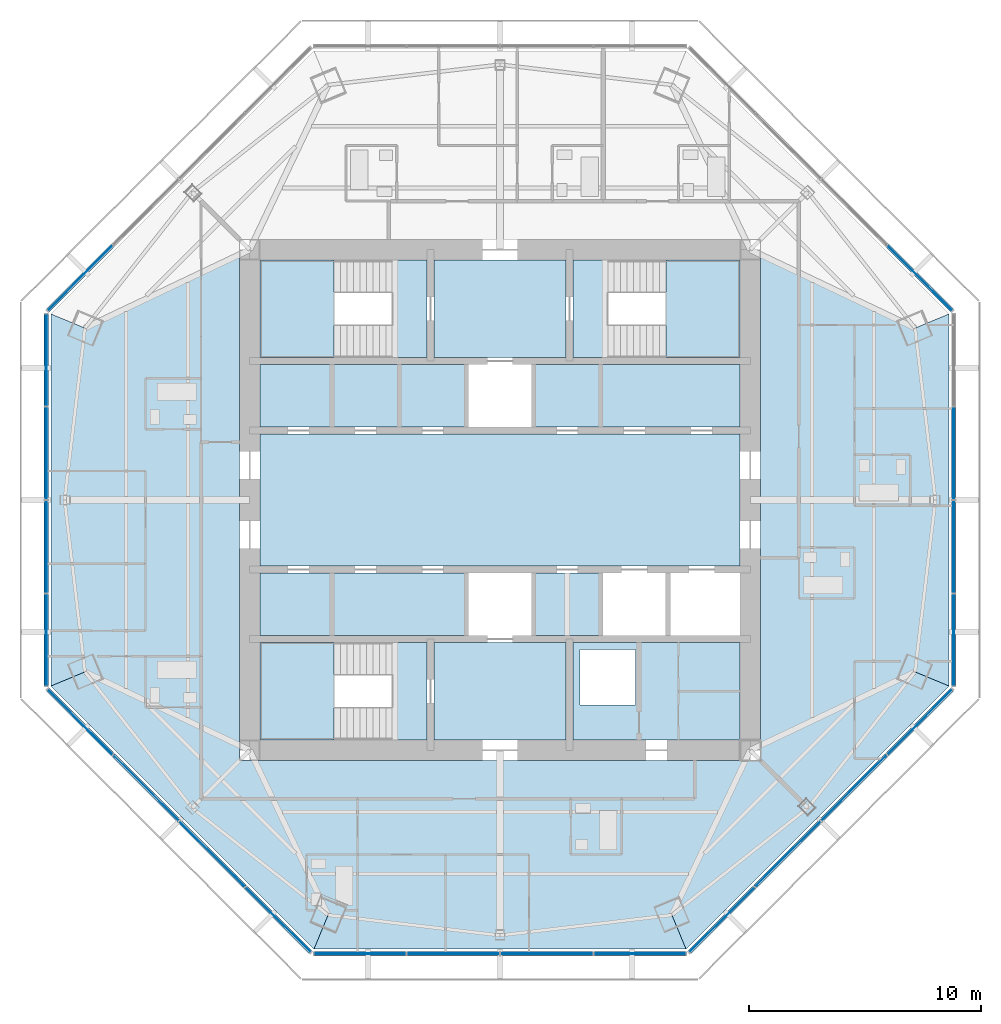
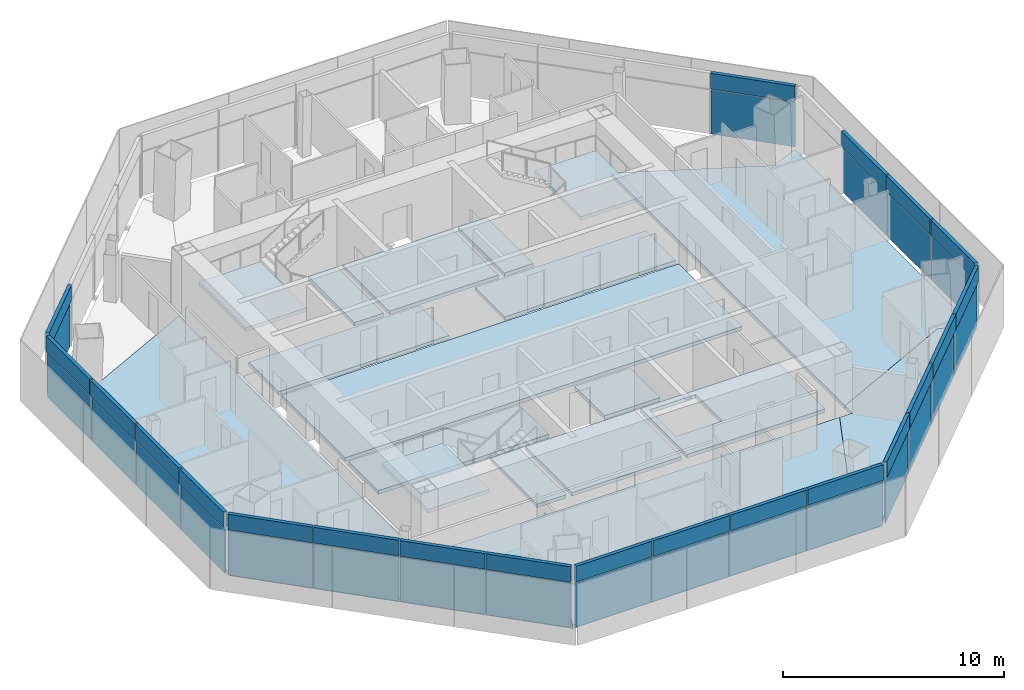
# One storey, part 7 of 15: 42 plates, 19 slabs, 10 elements without a shape of their own.
"""IFC4 building model written with IfcOpenShell, lengths in metres."""

from ifc_helpers import new_model, si_unit, direction, frame, origin, origin_2d, place, context, subcontext, project, spatial, polyline, rectangle, outline, extrude, source, transform, mapped, material, layer, layer_set, type_object, type_shapes, element, aggregate, save


model = new_model("IFC4")

# Units and contexts
model_context = context("Model", 3, precision=1e-05, world=origin(), true_north=direction((0.0, 1.0)))
body_context = subcontext(model_context, "Body", "Model", "MODEL_VIEW")
ifc_project = project(units=[si_unit("LENGTHUNIT", "METRE"), si_unit("AREAUNIT", "SQUARE_METRE"), si_unit("VOLUMEUNIT", "CUBIC_METRE"), si_unit("PLANEANGLEUNIT", "RADIAN"), si_unit("MASSUNIT", "GRAM", prefix="KILO")], contexts=[model_context])

# Site, building, storey
site_placement = place(None, origin())
site = spatial("IfcSite", under=ifc_project, at=site_placement, CompositionType="ELEMENT")
building_placement = place(site_placement, origin())
building = spatial("IfcBuilding", under=site, at=building_placement, Name="Mashrafa Tower", CompositionType="ELEMENT")
storey_placement = place(building_placement, frame((0.0, 0.0, 298.0)))
storey = spatial("IfcBuildingStorey", under=building, at=storey_placement, Name="L73", CompositionType="ELEMENT", Elevation=298.0)

# Slabs
ifc_material_1 = material(Name="Concrete C35/45", Category="concrete")
ifc_layer_1 = layer(ifc_material_1, 0.199951171875)
ifc_layer_set_1 = layer_set([ifc_layer_1], Name="Floor slab 200")
slab_type_1 = type_object("IfcSlabType", Name="Floor slab 200", PredefinedType="FLOOR", material=ifc_layer_set_1)
slab_1_placement = place(storey_placement, frame((0.0, 0.0, -0.199951171875)))
element("IfcSlab", 1, at=slab_1_placement, inside=storey, type_object=slab_type_1, Name="Floor slab L73 east bay", PredefinedType="FLOOR", context=body_context, shape_type="SweptSolid", body=[
    extrude(outline(polyline([(19.384765625, 8.029296875), (19.384765625, -8.029296875), (19.384765625, -8.029541015625), (17.912109375, -7.41943359375), (11.25, -10.586181640625), (11.25, 10.586181640625), (17.912109375, 7.41943359375), (19.384765625, 8.029541015625), (19.384765625, 8.029296875)])), origin(), (0.0, 0.0, 1.0), 0.199951171875),
])
slab_2_placement = place(storey_placement, frame((0.0, 0.0, -0.199951171875)))
element("IfcSlab", 2, at=slab_2_placement, inside=storey, type_object=slab_type_1, Name="Floor slab L73 west bay", PredefinedType="FLOOR", context=body_context, shape_type="SweptSolid", body=[
    extrude(outline(polyline([(-19.384765625, -8.029296875), (-19.384765625, 8.029296875), (-19.384765625, 8.029541015625), (-17.912109375, 7.41943359375), (-11.25, 10.586181640625), (-11.25, -10.586181640625), (-17.912109375, -7.41943359375), (-19.384765625, -8.029541015625), (-19.384765625, -8.029296875)])), origin(), (0.0, 0.0, 1.0), 0.199951171875),
])
slab_3_placement = place(storey_placement, frame((0.0, 0.0, -0.199951171875)))
element("IfcSlab", 3, at=slab_3_placement, inside=storey, type_object=slab_type_1, Name="Floor slab L73 south-west bay", PredefinedType="FLOOR", context=body_context, shape_type="SweptSolid", body=[
    extrude(outline(polyline([(-19.384765625, -8.029541015625), (-17.912109375, -7.41943359375), (-11.25, -10.586181640625), (-11.25, -11.25), (-10.586181640625, -11.25), (-7.41943359375, -17.912109375), (-8.029541015625, -19.384765625), (-19.384765625, -8.029541015625)])), origin(), (0.0, 0.0, 1.0), 0.199951171875),
])
slab_4_placement = place(storey_placement, frame((0.0, 0.0, -0.199951171875)))
element("IfcSlab", 4, at=slab_4_placement, inside=storey, type_object=slab_type_1, Name="Floor slab L73 south bay", PredefinedType="FLOOR", context=body_context, shape_type="SweptSolid", body=[
    extrude(outline(polyline([(-8.029296875, -19.384765625), (-8.029541015625, -19.384765625), (-7.41943359375, -17.912109375), (-10.586181640625, -11.25), (10.586181640625, -11.25), (7.41943359375, -17.912109375), (8.029541015625, -19.384765625), (8.029296875, -19.384765625), (-8.029296875, -19.384765625)])), origin(), (0.0, 0.0, 1.0), 0.199951171875),
])
slab_5_placement = place(storey_placement, frame((0.0, 0.0, -0.199951171875)))
element("IfcSlab", 5, at=slab_5_placement, inside=storey, type_object=slab_type_1, Name="Floor slab L73 south-east bay", PredefinedType="FLOOR", context=body_context, shape_type="SweptSolid", body=[
    extrude(outline(polyline([(8.029541015625, -19.384765625), (7.41943359375, -17.912109375), (10.586181640625, -11.25), (11.25, -11.25), (11.25, -10.586181640625), (17.912109375, -7.41943359375), (19.384765625, -8.029541015625), (8.029541015625, -19.384765625)])), origin(), (0.0, 0.0, 1.0), 0.199951171875),
])
slab_6_placement = place(storey_placement, frame((0.0, 0.0, -0.199951171875)))
element("IfcSlab", 6, at=slab_6_placement, inside=storey, type_object=slab_type_1, Name="Core floor lift hall L73", PredefinedType="FLOOR", context=body_context, shape_type="SweptSolid", body=[
    extrude(outline(polyline([(-10.35009765625, 2.85009765625), (10.35009765625, 2.85009765625), (10.35009765625, -2.85009765625), (-10.35009765625, -2.85009765625), (-10.35009765625, 2.85009765625)])), origin(), (0.0, 0.0, 1.0), 0.199951171875),
])
slab_7_placement = place(storey_placement, frame((0.0, 0.0, -0.199951171875)))
element("IfcSlab", 7, at=slab_7_placement, inside=storey, type_object=slab_type_1, Name="Core floor riser and electrical band L73", PredefinedType="FLOOR", context=body_context, shape_type="SweptSolid", body=[
    extrude(outline(polyline([(10.35009765625, -6.14990234375), (10.35009765625, -10.35009765625), (3.14990234375, -10.35009765625), (3.14990234375, -6.14990234375), (10.35009765625, -6.14990234375)]), holes=[polyline([(3.449951171875, -8.85009765625), (5.85009765625, -8.85009765625), (5.85009765625, -6.449951171875), (3.449951171875, -6.449951171875), (3.449951171875, -8.85009765625)])]), origin(), (0.0, 0.0, 1.0), 0.199951171875),
])
slab_8_placement = place(storey_placement, frame((0.0, 0.0, -0.199951171875)))
element("IfcSlab", 8, at=slab_8_placement, inside=storey, type_object=slab_type_1, Name="Core floor lift cell L73", PredefinedType="FLOOR", context=body_context, shape_type="SweptSolid", body=[
    extrude(outline(polyline([(10.35009765625, 5.85009765625), (10.35009765625, 3.14990234375), (1.449951171875, 3.14990234375), (1.449951171875, 5.85009765625), (10.35009765625, 5.85009765625)])), origin(), (0.0, 0.0, 1.0), 0.199951171875),
])
slab_9_placement = place(storey_placement, frame((0.0, 0.0, -0.199951171875)))
element("IfcSlab", 9, at=slab_9_placement, inside=storey, type_object=slab_type_1, Name="Core floor lift cell L73", PredefinedType="FLOOR", context=body_context, shape_type="SweptSolid", body=[
    extrude(outline(polyline([(-1.449951171875, 3.14990234375), (-10.35009765625, 3.14990234375), (-10.35009765625, 5.85009765625), (-1.449951171875, 5.85009765625), (-1.449951171875, 3.14990234375)])), origin(), (0.0, 0.0, 1.0), 0.199951171875),
])
slab_10_placement = place(storey_placement, frame((0.0, 0.0, -0.199951171875)))
element("IfcSlab", 10, at=slab_10_placement, inside=storey, type_object=slab_type_1, Name="Core floor lift cell L73", PredefinedType="FLOOR", context=body_context, shape_type="SweptSolid", body=[
    extrude(outline(polyline([(-1.449951171875, -3.14990234375), (-1.449951171875, -5.85009765625), (-10.35009765625, -5.85009765625), (-10.35009765625, -3.14990234375), (-1.449951171875, -3.14990234375)])), origin(), (0.0, 0.0, 1.0), 0.199951171875),
])
slab_11_placement = place(storey_placement, frame((0.0, 0.0, -0.199951171875)))
element("IfcSlab", 11, at=slab_11_placement, inside=storey, type_object=slab_type_1, Name="Core floor fire-fighting lobby south L73", PredefinedType="FLOOR", context=body_context, shape_type="SweptSolid", body=[
    extrude(outline(polyline([(2.85009765625, -6.14990234375), (2.85009765625, -10.35009765625), (-2.85009765625, -10.35009765625), (-2.85009765625, -6.14990234375), (2.85009765625, -6.14990234375)])), origin(), (0.0, 0.0, 1.0), 0.199951171875),
])
slab_12_placement = place(storey_placement, frame((0.0, 0.0, -0.199951171875)))
element("IfcSlab", 12, at=slab_12_placement, inside=storey, type_object=slab_type_1, Name="Core floor fire-fighting lobby north L73", PredefinedType="FLOOR", context=body_context, shape_type="SweptSolid", body=[
    extrude(outline(polyline([(-2.85009765625, 10.35009765625), (2.85009765625, 10.35009765625), (2.85009765625, 6.14990234375), (-2.85009765625, 6.14990234375), (-2.85009765625, 10.35009765625)])), origin(), (0.0, 0.0, 1.0), 0.199951171875),
])
slab_13_placement = place(storey_placement, frame((0.0, 0.0, -0.199951171875)))
element("IfcSlab", 13, at=slab_13_placement, inside=storey, type_object=slab_type_1, Name="Core floor lift cell L73", PredefinedType="FLOOR", context=body_context, shape_type="SweptSolid", body=[
    extrude(outline(polyline([(4.35009765625, -3.14990234375), (4.35009765625, -5.85009765625), (1.449951171875, -5.85009765625), (1.449951171875, -3.14990234375), (4.35009765625, -3.14990234375)])), origin(), (0.0, 0.0, 1.0), 0.199951171875),
])

# Stair, slabs
ifc_material_2 = material(Name="Exit stair 1400")
stair_type = type_object("IfcStairType", Name="Exit stair 1400", PredefinedType="HALF_TURN_STAIR", material=ifc_material_2)
stair_1_placement = place(storey_placement, origin())
stair_1 = element("IfcStair", 14, at=stair_1_placement, inside=storey, type_object=stair_type, Name="Stair S1 L73", PredefinedType="HALF_TURN_STAIR")
ifc_material_3 = material(Name="Concrete C32/40", Category="concrete")
ifc_layer_2 = layer(ifc_material_3, 0.199951171875)
ifc_layer_set_2 = layer_set([ifc_layer_2], Name="Stair landing 200")
slab_type_2 = type_object("IfcSlabType", Name="Stair landing 200", PredefinedType="LANDING", material=ifc_layer_set_2)
slab_14_placement = place(storey_placement, frame((0.0, 0.0, -0.199951171875)))
slab_14 = element("IfcSlab", 15, at=slab_14_placement, type_object=slab_type_2, Name="S1 landing 1", PredefinedType="LANDING", context=body_context, shape_type="SweptSolid", body=[
    extrude(outline(polyline([(-4.659912109375, 6.14990234375), (-3.14990234375, 6.14990234375), (-3.14990234375, 10.35009765625), (-4.659912109375, 10.35009765625), (-4.659912109375, 6.14990234375)])), origin(), (0.0, 0.0, 1.0), 0.199951171875),
])
slab_15_placement = place(storey_placement, frame((0.0, 0.0, 1.5)))
slab_15 = element("IfcSlab", 16, at=slab_15_placement, type_object=slab_type_2, Name="S1 landing 2", PredefinedType="LANDING", context=body_context, shape_type="SweptSolid", body=[
    extrude(outline(polyline([(-10.35009765625, 6.14990234375), (-7.159912109375, 6.14990234375), (-7.159912109375, 10.35009765625), (-10.35009765625, 10.35009765625), (-10.35009765625, 6.14990234375)])), origin(), (0.0, 0.0, 1.0), 0.199951171875),
])
aggregate(stair_1, [slab_14, slab_15])

stair_2_placement = place(storey_placement, origin())
stair_2 = element("IfcStair", 17, at=stair_2_placement, inside=storey, type_object=stair_type, Name="Stair S2 L73", PredefinedType="HALF_TURN_STAIR")
slab_16_placement = place(storey_placement, frame((0.0, 0.0, -0.199951171875)))
slab_16 = element("IfcSlab", 18, at=slab_16_placement, type_object=slab_type_2, Name="S2 landing 1", PredefinedType="LANDING", context=body_context, shape_type="SweptSolid", body=[
    extrude(outline(polyline([(3.14990234375, 6.14990234375), (4.659912109375, 6.14990234375), (4.659912109375, 10.35009765625), (3.14990234375, 10.35009765625), (3.14990234375, 6.14990234375)])), origin(), (0.0, 0.0, 1.0), 0.199951171875),
])
slab_17_placement = place(storey_placement, frame((0.0, 0.0, 1.5)))
slab_17 = element("IfcSlab", 19, at=slab_17_placement, type_object=slab_type_2, Name="S2 landing 2", PredefinedType="LANDING", context=body_context, shape_type="SweptSolid", body=[
    extrude(outline(polyline([(7.159912109375, 6.14990234375), (10.35009765625, 6.14990234375), (10.35009765625, 10.35009765625), (7.159912109375, 10.35009765625), (7.159912109375, 6.14990234375)])), origin(), (0.0, 0.0, 1.0), 0.199951171875),
])
aggregate(stair_2, [slab_16, slab_17])

stair_3_placement = place(storey_placement, origin())
stair_3 = element("IfcStair", 20, at=stair_3_placement, inside=storey, type_object=stair_type, Name="Stair S3 L73", PredefinedType="HALF_TURN_STAIR")
slab_18_placement = place(storey_placement, frame((0.0, 0.0, -0.199951171875)))
slab_18 = element("IfcSlab", 21, at=slab_18_placement, type_object=slab_type_2, Name="S3 landing 1", PredefinedType="LANDING", context=body_context, shape_type="SweptSolid", body=[
    extrude(outline(polyline([(-4.659912109375, -10.35009765625), (-3.14990234375, -10.35009765625), (-3.14990234375, -6.14990234375), (-4.659912109375, -6.14990234375), (-4.659912109375, -10.35009765625)])), origin(), (0.0, 0.0, 1.0), 0.199951171875),
])
slab_19_placement = place(storey_placement, frame((0.0, 0.0, 1.5)))
slab_19 = element("IfcSlab", 22, at=slab_19_placement, type_object=slab_type_2, Name="S3 landing 2", PredefinedType="LANDING", context=body_context, shape_type="SweptSolid", body=[
    extrude(outline(polyline([(-10.35009765625, -10.35009765625), (-7.159912109375, -10.35009765625), (-7.159912109375, -6.14990234375), (-10.35009765625, -6.14990234375), (-10.35009765625, -10.35009765625)])), origin(), (0.0, 0.0, 1.0), 0.199951171875),
])
aggregate(stair_3, [slab_18, slab_19])

# Curtain wall, plate
ifc_material_4 = material(Name="Unitised aluminium curtain wall", Category="aluminium")
curtain_wall_type = type_object("IfcCurtainWallType", Name="Apartment curtain wall, zone 4 CW-D 160 deep", PredefinedType="NOTDEFINED", material=ifc_material_4)
curtain_wall_1_placement = place(storey_placement, origin())
curtain_wall_1 = element("IfcCurtainWall", 23, at=curtain_wall_1_placement, inside=storey, type_object=curtain_wall_type, Name="Apartment curtain wall, zone 4 L73 east", PredefinedType="NOTDEFINED")
ifc_material_5 = material(Name="Insulated double glazing, acoustic", Category="glass")
ifc_layer_3 = layer(ifc_material_5, 0.028076171875)
ifc_layer_set_3 = layer_set([ifc_layer_3], Name="Vision panel CW-D 28")
plate_type_1 = type_object("IfcPlateType", Name="Vision panel CW-D 28", PredefinedType="CURTAIN_PANEL", material=ifc_layer_set_3)
shared_shape_1 = source(origin(), body_context, "Body", "SweptSolid", [
    extrude(rectangle(XDim=3.944580078125, YDim=0.028076171875, at=origin_2d()), origin(), (0.0, 0.0, 1.0), 2.46240234375),
])
plate_1_placement = place(storey_placement, frame((19.584716796875, -6.036865234375, 0.0), z_axis=(0.0, 0.0, 1.0), x_axis=(0.0, 1.0, 0.0)))
plate_1 = element("IfcPlate", 24, at=plate_1_placement, type_object=plate_type_1, Name="CW-D vision panel 1", PredefinedType="CURTAIN_PANEL", context=body_context, shape_type="MappedRepresentation", body=[
    mapped(shared_shape_1, transform((0.0, 0.0, 0.0))),
])

curtain_wall_2_placement = place(storey_placement, origin())
curtain_wall_2 = element("IfcCurtainWall", 25, at=curtain_wall_2_placement, inside=storey, type_object=curtain_wall_type, Name="Apartment curtain wall, zone 4 L73 north-east", PredefinedType="NOTDEFINED")
plate_2_placement = place(storey_placement, frame((18.1171875, 9.579833984375, 0.0), z_axis=(0.0, 0.0, 1.0), x_axis=(-0.707106781187, 0.707106781187, 0.0)))
plate_2 = element("IfcPlate", 26, at=plate_2_placement, type_object=plate_type_1, Name="CW-D vision panel 1", PredefinedType="CURTAIN_PANEL", context=body_context, shape_type="MappedRepresentation", body=[
    mapped(shared_shape_1, transform((0.0, 0.0, 0.0))),
])

curtain_wall_3_placement = place(storey_placement, origin())
curtain_wall_3 = element("IfcCurtainWall", 27, at=curtain_wall_3_placement, inside=storey, type_object=curtain_wall_type, Name="Apartment curtain wall, zone 4 L73 north-west", PredefinedType="NOTDEFINED")
plate_3_placement = place(storey_placement, frame((-18.1171875, 9.579833984375, 0.0), z_axis=(0.0, 0.0, 1.0), x_axis=(-0.707106781187, -0.707106781187, 0.0)))
plate_3 = element("IfcPlate", 28, at=plate_3_placement, type_object=plate_type_1, Name="CW-D vision panel 4", PredefinedType="CURTAIN_PANEL", context=body_context, shape_type="MappedRepresentation", body=[
    mapped(shared_shape_1, transform((0.0, 0.0, 0.0))),
])

# Curtain wall, plates
curtain_wall_4_placement = place(storey_placement, origin())
curtain_wall_4 = element("IfcCurtainWall", 29, at=curtain_wall_4_placement, inside=storey, type_object=curtain_wall_type, Name="Apartment curtain wall, zone 4 L73 west", PredefinedType="NOTDEFINED")
plate_4_placement = place(storey_placement, frame((-19.584716796875, 6.036865234375, 0.0), z_axis=(0.0, 0.0, 1.0), x_axis=(0.0, -1.0, 0.0)))
plate_4 = element("IfcPlate", 30, at=plate_4_placement, type_object=plate_type_1, Name="CW-D vision panel 1", PredefinedType="CURTAIN_PANEL", context=body_context, shape_type="MappedRepresentation", body=[
    mapped(shared_shape_1, transform((0.0, 0.0, 0.0))),
])
plate_5_placement = place(storey_placement, frame((-19.584716796875, -6.036865234375, 0.0), z_axis=(0.0, 0.0, 1.0), x_axis=(0.0, -1.0, 0.0)))
plate_5 = element("IfcPlate", 31, at=plate_5_placement, type_object=plate_type_1, Name="CW-D vision panel 4", PredefinedType="CURTAIN_PANEL", context=body_context, shape_type="MappedRepresentation", body=[
    mapped(shared_shape_1, transform((0.0, 0.0, 0.0))),
])

curtain_wall_5_placement = place(storey_placement, origin())
curtain_wall_5 = element("IfcCurtainWall", 32, at=curtain_wall_5_placement, inside=storey, type_object=curtain_wall_type, Name="Apartment curtain wall, zone 4 L73 south-west", PredefinedType="NOTDEFINED")
plate_6_placement = place(storey_placement, frame((-18.1171875, -9.579833984375, 0.0), z_axis=(0.0, 0.0, 1.0), x_axis=(0.707106781187, -0.707106781187, 0.0)))
plate_6 = element("IfcPlate", 33, at=plate_6_placement, type_object=plate_type_1, Name="CW-D vision panel 1", PredefinedType="CURTAIN_PANEL", context=body_context, shape_type="MappedRepresentation", body=[
    mapped(shared_shape_1, transform((0.0, 0.0, 0.0))),
])
plate_7_placement = place(storey_placement, frame((-9.579833984375, -18.1171875, 0.0), z_axis=(0.0, 0.0, 1.0), x_axis=(0.707106781187, -0.707106781187, 0.0)))
plate_7 = element("IfcPlate", 34, at=plate_7_placement, type_object=plate_type_1, Name="CW-D vision panel 4", PredefinedType="CURTAIN_PANEL", context=body_context, shape_type="MappedRepresentation", body=[
    mapped(shared_shape_1, transform((0.0, 0.0, 0.0))),
])

curtain_wall_6_placement = place(storey_placement, origin())
curtain_wall_6 = element("IfcCurtainWall", 35, at=curtain_wall_6_placement, inside=storey, type_object=curtain_wall_type, Name="Apartment curtain wall, zone 4 L73 south", PredefinedType="NOTDEFINED")
plate_8_placement = place(storey_placement, frame((-6.036865234375, -19.584716796875, 0.0), z_axis=(0.0, 0.0, 1.0), x_axis=(1.0, 0.0, 0.0)))
plate_8 = element("IfcPlate", 36, at=plate_8_placement, type_object=plate_type_1, Name="CW-D vision panel 1", PredefinedType="CURTAIN_PANEL", context=body_context, shape_type="MappedRepresentation", body=[
    mapped(shared_shape_1, transform((0.0, 0.0, 0.0))),
])
plate_9_placement = place(storey_placement, frame((6.036865234375, -19.584716796875, 0.0), z_axis=(0.0, 0.0, 1.0), x_axis=(1.0, 0.0, 0.0)))
plate_9 = element("IfcPlate", 37, at=plate_9_placement, type_object=plate_type_1, Name="CW-D vision panel 4", PredefinedType="CURTAIN_PANEL", context=body_context, shape_type="MappedRepresentation", body=[
    mapped(shared_shape_1, transform((0.0, 0.0, 0.0))),
])

curtain_wall_7_placement = place(storey_placement, origin())
curtain_wall_7 = element("IfcCurtainWall", 38, at=curtain_wall_7_placement, inside=storey, type_object=curtain_wall_type, Name="Apartment curtain wall, zone 4 L73 south-east", PredefinedType="NOTDEFINED")
plate_10_placement = place(storey_placement, frame((9.579833984375, -18.1171875, 0.0), z_axis=(0.0, 0.0, 1.0), x_axis=(0.707106781187, 0.707106781187, 0.0)))
plate_10 = element("IfcPlate", 39, at=plate_10_placement, type_object=plate_type_1, Name="CW-D vision panel 1", PredefinedType="CURTAIN_PANEL", context=body_context, shape_type="MappedRepresentation", body=[
    mapped(shared_shape_1, transform((0.0, 0.0, 0.0))),
])
plate_11_placement = place(storey_placement, frame((18.1171875, -9.579833984375, 0.0), z_axis=(0.0, 0.0, 1.0), x_axis=(0.707106781187, 0.707106781187, 0.0)))
plate_11 = element("IfcPlate", 40, at=plate_11_placement, type_object=plate_type_1, Name="CW-D vision panel 4", PredefinedType="CURTAIN_PANEL", context=body_context, shape_type="MappedRepresentation", body=[
    mapped(shared_shape_1, transform((0.0, 0.0, 0.0))),
])

# Plate
ifc_material_6 = material(Name="Insulated bronze aluminium spandrel panel", Category="aluminium")
ifc_layer_4 = layer(ifc_material_6, 0.179931640625)
ifc_layer_set_4 = layer_set([ifc_layer_4], Name="Spandrel panel CW-D 180")
plate_type_2 = type_object("IfcPlateType", Name="Spandrel panel CW-D 180", PredefinedType="CURTAIN_PANEL", material=ifc_layer_set_4)
shared_shape_2 = source(origin(), body_context, "Body", "SweptSolid", [
    extrude(rectangle(XDim=3.944580078125, YDim=0.179931640625, at=origin_2d()), origin(), (0.0, 0.0, 1.0), 0.862548828125),
])
plate_12_placement = place(storey_placement, frame((19.584716796875, -6.036865234375, 2.53759765625), z_axis=(0.0, 0.0, 1.0), x_axis=(0.0, 1.0, 0.0)))
plate_12 = element("IfcPlate", 41, at=plate_12_placement, type_object=plate_type_2, Name="CW-D spandrel panel 1", PredefinedType="CURTAIN_PANEL", context=body_context, shape_type="MappedRepresentation", body=[
    mapped(shared_shape_2, transform((0.0, 0.0, 0.0))),
])

plate_13_placement = place(storey_placement, frame((18.1171875, 9.579833984375, 2.53759765625), z_axis=(0.0, 0.0, 1.0), x_axis=(-0.707106781187, 0.707106781187, 0.0)))
plate_13 = element("IfcPlate", 42, at=plate_13_placement, type_object=plate_type_2, Name="CW-D spandrel panel 1", PredefinedType="CURTAIN_PANEL", context=body_context, shape_type="MappedRepresentation", body=[
    mapped(shared_shape_2, transform((0.0, 0.0, 0.0))),
])

aggregate(curtain_wall_2, [plate_2, plate_13])

plate_14_placement = place(storey_placement, frame((-18.1171875, 9.579833984375, 2.53759765625), z_axis=(0.0, 0.0, 1.0), x_axis=(-0.707106781187, -0.707106781187, 0.0)))
plate_14 = element("IfcPlate", 43, at=plate_14_placement, type_object=plate_type_2, Name="CW-D spandrel panel 4", PredefinedType="CURTAIN_PANEL", context=body_context, shape_type="MappedRepresentation", body=[
    mapped(shared_shape_2, transform((0.0, 0.0, 0.0))),
])

aggregate(curtain_wall_3, [plate_3, plate_14])

plate_15_placement = place(storey_placement, frame((-19.584716796875, 6.036865234375, 2.53759765625), z_axis=(0.0, 0.0, 1.0), x_axis=(0.0, -1.0, 0.0)))
plate_15 = element("IfcPlate", 44, at=plate_15_placement, type_object=plate_type_2, Name="CW-D spandrel panel 1", PredefinedType="CURTAIN_PANEL", context=body_context, shape_type="MappedRepresentation", body=[
    mapped(shared_shape_2, transform((0.0, 0.0, 0.0))),
])

plate_16_placement = place(storey_placement, frame((-19.584716796875, -6.036865234375, 2.53759765625), z_axis=(0.0, 0.0, 1.0), x_axis=(0.0, -1.0, 0.0)))
plate_16 = element("IfcPlate", 45, at=plate_16_placement, type_object=plate_type_2, Name="CW-D spandrel panel 4", PredefinedType="CURTAIN_PANEL", context=body_context, shape_type="MappedRepresentation", body=[
    mapped(shared_shape_2, transform((0.0, 0.0, 0.0))),
])

plate_17_placement = place(storey_placement, frame((-18.1171875, -9.579833984375, 2.53759765625), z_axis=(0.0, 0.0, 1.0), x_axis=(0.707106781187, -0.707106781187, 0.0)))
plate_17 = element("IfcPlate", 46, at=plate_17_placement, type_object=plate_type_2, Name="CW-D spandrel panel 1", PredefinedType="CURTAIN_PANEL", context=body_context, shape_type="MappedRepresentation", body=[
    mapped(shared_shape_2, transform((0.0, 0.0, 0.0))),
])

plate_18_placement = place(storey_placement, frame((-9.579833984375, -18.1171875, 2.53759765625), z_axis=(0.0, 0.0, 1.0), x_axis=(0.707106781187, -0.707106781187, 0.0)))
plate_18 = element("IfcPlate", 47, at=plate_18_placement, type_object=plate_type_2, Name="CW-D spandrel panel 4", PredefinedType="CURTAIN_PANEL", context=body_context, shape_type="MappedRepresentation", body=[
    mapped(shared_shape_2, transform((0.0, 0.0, 0.0))),
])

plate_19_placement = place(storey_placement, frame((-6.036865234375, -19.584716796875, 2.53759765625), z_axis=(0.0, 0.0, 1.0), x_axis=(1.0, 0.0, 0.0)))
plate_19 = element("IfcPlate", 48, at=plate_19_placement, type_object=plate_type_2, Name="CW-D spandrel panel 1", PredefinedType="CURTAIN_PANEL", context=body_context, shape_type="MappedRepresentation", body=[
    mapped(shared_shape_2, transform((0.0, 0.0, 0.0))),
])

plate_20_placement = place(storey_placement, frame((6.036865234375, -19.584716796875, 2.53759765625), z_axis=(0.0, 0.0, 1.0), x_axis=(1.0, 0.0, 0.0)))
plate_20 = element("IfcPlate", 49, at=plate_20_placement, type_object=plate_type_2, Name="CW-D spandrel panel 4", PredefinedType="CURTAIN_PANEL", context=body_context, shape_type="MappedRepresentation", body=[
    mapped(shared_shape_2, transform((0.0, 0.0, 0.0))),
])

plate_21_placement = place(storey_placement, frame((9.579833984375, -18.1171875, 2.53759765625), z_axis=(0.0, 0.0, 1.0), x_axis=(0.707106781187, 0.707106781187, 0.0)))
plate_21 = element("IfcPlate", 50, at=plate_21_placement, type_object=plate_type_2, Name="CW-D spandrel panel 1", PredefinedType="CURTAIN_PANEL", context=body_context, shape_type="MappedRepresentation", body=[
    mapped(shared_shape_2, transform((0.0, 0.0, 0.0))),
])

plate_22_placement = place(storey_placement, frame((18.1171875, -9.579833984375, 2.53759765625), z_axis=(0.0, 0.0, 1.0), x_axis=(0.707106781187, 0.707106781187, 0.0)))
plate_22 = element("IfcPlate", 51, at=plate_22_placement, type_object=plate_type_2, Name="CW-D spandrel panel 4", PredefinedType="CURTAIN_PANEL", context=body_context, shape_type="MappedRepresentation", body=[
    mapped(shared_shape_2, transform((0.0, 0.0, 0.0))),
])

shared_shape_3 = source(origin(), body_context, "Body", "SweptSolid", [
    extrude(rectangle(XDim=3.974609375, YDim=0.028076171875, at=origin_2d()), origin(), (0.0, 0.0, 1.0), 2.46240234375),
])
type_shapes(plate_type_1, [shared_shape_1, shared_shape_3])
plate_23_placement = place(storey_placement, frame((19.584716796875, -2.017333984375, 0.0), z_axis=(0.0, 0.0, 1.0), x_axis=(0.0, 1.0, 0.0)))
plate_23 = element("IfcPlate", 52, at=plate_23_placement, type_object=plate_type_1, Name="CW-D vision panel 2", PredefinedType="CURTAIN_PANEL", context=body_context, shape_type="MappedRepresentation", body=[
    mapped(shared_shape_3, transform((0.0, 0.0, 0.0))),
])

plate_24_placement = place(storey_placement, frame((19.584716796875, 2.017333984375, 0.0), z_axis=(0.0, 0.0, 1.0), x_axis=(0.0, 1.0, 0.0)))
plate_24 = element("IfcPlate", 53, at=plate_24_placement, type_object=plate_type_1, Name="CW-D vision panel 3", PredefinedType="CURTAIN_PANEL", context=body_context, shape_type="MappedRepresentation", body=[
    mapped(shared_shape_3, transform((0.0, 0.0, 0.0))),
])

plate_25_placement = place(storey_placement, frame((-19.584716796875, 2.017333984375, 0.0), z_axis=(0.0, 0.0, 1.0), x_axis=(0.0, -1.0, 0.0)))
plate_25 = element("IfcPlate", 54, at=plate_25_placement, type_object=plate_type_1, Name="CW-D vision panel 2", PredefinedType="CURTAIN_PANEL", context=body_context, shape_type="MappedRepresentation", body=[
    mapped(shared_shape_3, transform((0.0, 0.0, 0.0))),
])

plate_26_placement = place(storey_placement, frame((-19.584716796875, -2.017333984375, 0.0), z_axis=(0.0, 0.0, 1.0), x_axis=(0.0, -1.0, 0.0)))
plate_26 = element("IfcPlate", 55, at=plate_26_placement, type_object=plate_type_1, Name="CW-D vision panel 3", PredefinedType="CURTAIN_PANEL", context=body_context, shape_type="MappedRepresentation", body=[
    mapped(shared_shape_3, transform((0.0, 0.0, 0.0))),
])

plate_27_placement = place(storey_placement, frame((-15.27490234375, -12.422119140625, 0.0), z_axis=(0.0, 0.0, 1.0), x_axis=(0.707106781187, -0.707106781187, 0.0)))
plate_27 = element("IfcPlate", 56, at=plate_27_placement, type_object=plate_type_1, Name="CW-D vision panel 2", PredefinedType="CURTAIN_PANEL", context=body_context, shape_type="MappedRepresentation", body=[
    mapped(shared_shape_3, transform((0.0, 0.0, 0.0))),
])

plate_28_placement = place(storey_placement, frame((-12.422119140625, -15.27490234375, 0.0), z_axis=(0.0, 0.0, 1.0), x_axis=(0.707106781187, -0.707106781187, 0.0)))
plate_28 = element("IfcPlate", 57, at=plate_28_placement, type_object=plate_type_1, Name="CW-D vision panel 3", PredefinedType="CURTAIN_PANEL", context=body_context, shape_type="MappedRepresentation", body=[
    mapped(shared_shape_3, transform((0.0, 0.0, 0.0))),
])

plate_29_placement = place(storey_placement, frame((-2.017333984375, -19.584716796875, 0.0), z_axis=(0.0, 0.0, 1.0), x_axis=(1.0, 0.0, 0.0)))
plate_29 = element("IfcPlate", 58, at=plate_29_placement, type_object=plate_type_1, Name="CW-D vision panel 2", PredefinedType="CURTAIN_PANEL", context=body_context, shape_type="MappedRepresentation", body=[
    mapped(shared_shape_3, transform((0.0, 0.0, 0.0))),
])

plate_30_placement = place(storey_placement, frame((2.017333984375, -19.584716796875, 0.0), z_axis=(0.0, 0.0, 1.0), x_axis=(1.0, 0.0, 0.0)))
plate_30 = element("IfcPlate", 59, at=plate_30_placement, type_object=plate_type_1, Name="CW-D vision panel 3", PredefinedType="CURTAIN_PANEL", context=body_context, shape_type="MappedRepresentation", body=[
    mapped(shared_shape_3, transform((0.0, 0.0, 0.0))),
])

plate_31_placement = place(storey_placement, frame((12.422119140625, -15.27490234375, 0.0), z_axis=(0.0, 0.0, 1.0), x_axis=(0.707106781187, 0.707106781187, 0.0)))
plate_31 = element("IfcPlate", 60, at=plate_31_placement, type_object=plate_type_1, Name="CW-D vision panel 2", PredefinedType="CURTAIN_PANEL", context=body_context, shape_type="MappedRepresentation", body=[
    mapped(shared_shape_3, transform((0.0, 0.0, 0.0))),
])

plate_32_placement = place(storey_placement, frame((15.27490234375, -12.422119140625, 0.0), z_axis=(0.0, 0.0, 1.0), x_axis=(0.707106781187, 0.707106781187, 0.0)))
plate_32 = element("IfcPlate", 61, at=plate_32_placement, type_object=plate_type_1, Name="CW-D vision panel 3", PredefinedType="CURTAIN_PANEL", context=body_context, shape_type="MappedRepresentation", body=[
    mapped(shared_shape_3, transform((0.0, 0.0, 0.0))),
])

shared_shape_4 = source(origin(), body_context, "Body", "SweptSolid", [
    extrude(rectangle(XDim=3.974609375, YDim=0.179931640625, at=origin_2d()), origin(), (0.0, 0.0, 1.0), 0.862548828125),
])
type_shapes(plate_type_2, [shared_shape_2, shared_shape_4])
plate_33_placement = place(storey_placement, frame((19.584716796875, -2.017333984375, 2.53759765625), z_axis=(0.0, 0.0, 1.0), x_axis=(0.0, 1.0, 0.0)))
plate_33 = element("IfcPlate", 62, at=plate_33_placement, type_object=plate_type_2, Name="CW-D spandrel panel 2", PredefinedType="CURTAIN_PANEL", context=body_context, shape_type="MappedRepresentation", body=[
    mapped(shared_shape_4, transform((0.0, 0.0, 0.0))),
])

plate_34_placement = place(storey_placement, frame((19.584716796875, 2.017333984375, 2.53759765625), z_axis=(0.0, 0.0, 1.0), x_axis=(0.0, 1.0, 0.0)))
plate_34 = element("IfcPlate", 63, at=plate_34_placement, type_object=plate_type_2, Name="CW-D spandrel panel 3", PredefinedType="CURTAIN_PANEL", context=body_context, shape_type="MappedRepresentation", body=[
    mapped(shared_shape_4, transform((0.0, 0.0, 0.0))),
])

aggregate(curtain_wall_1, [plate_1, plate_12, plate_23, plate_33, plate_24, plate_34])

plate_35_placement = place(storey_placement, frame((-19.584716796875, 2.017333984375, 2.53759765625), z_axis=(0.0, 0.0, 1.0), x_axis=(0.0, -1.0, 0.0)))
plate_35 = element("IfcPlate", 64, at=plate_35_placement, type_object=plate_type_2, Name="CW-D spandrel panel 2", PredefinedType="CURTAIN_PANEL", context=body_context, shape_type="MappedRepresentation", body=[
    mapped(shared_shape_4, transform((0.0, 0.0, 0.0))),
])

plate_36_placement = place(storey_placement, frame((-19.584716796875, -2.017333984375, 2.53759765625), z_axis=(0.0, 0.0, 1.0), x_axis=(0.0, -1.0, 0.0)))
plate_36 = element("IfcPlate", 65, at=plate_36_placement, type_object=plate_type_2, Name="CW-D spandrel panel 3", PredefinedType="CURTAIN_PANEL", context=body_context, shape_type="MappedRepresentation", body=[
    mapped(shared_shape_4, transform((0.0, 0.0, 0.0))),
])

aggregate(curtain_wall_4, [plate_4, plate_15, plate_25, plate_35, plate_26, plate_36, plate_5, plate_16])

plate_37_placement = place(storey_placement, frame((-15.27490234375, -12.422119140625, 2.53759765625), z_axis=(0.0, 0.0, 1.0), x_axis=(0.707106781187, -0.707106781187, 0.0)))
plate_37 = element("IfcPlate", 66, at=plate_37_placement, type_object=plate_type_2, Name="CW-D spandrel panel 2", PredefinedType="CURTAIN_PANEL", context=body_context, shape_type="MappedRepresentation", body=[
    mapped(shared_shape_4, transform((0.0, 0.0, 0.0))),
])

plate_38_placement = place(storey_placement, frame((-12.422119140625, -15.27490234375, 2.53759765625), z_axis=(0.0, 0.0, 1.0), x_axis=(0.707106781187, -0.707106781187, 0.0)))
plate_38 = element("IfcPlate", 67, at=plate_38_placement, type_object=plate_type_2, Name="CW-D spandrel panel 3", PredefinedType="CURTAIN_PANEL", context=body_context, shape_type="MappedRepresentation", body=[
    mapped(shared_shape_4, transform((0.0, 0.0, 0.0))),
])

aggregate(curtain_wall_5, [plate_6, plate_17, plate_27, plate_37, plate_28, plate_38, plate_7, plate_18])

plate_39_placement = place(storey_placement, frame((-2.017333984375, -19.584716796875, 2.53759765625), z_axis=(0.0, 0.0, 1.0), x_axis=(1.0, 0.0, 0.0)))
plate_39 = element("IfcPlate", 68, at=plate_39_placement, type_object=plate_type_2, Name="CW-D spandrel panel 2", PredefinedType="CURTAIN_PANEL", context=body_context, shape_type="MappedRepresentation", body=[
    mapped(shared_shape_4, transform((0.0, 0.0, 0.0))),
])

plate_40_placement = place(storey_placement, frame((2.017333984375, -19.584716796875, 2.53759765625), z_axis=(0.0, 0.0, 1.0), x_axis=(1.0, 0.0, 0.0)))
plate_40 = element("IfcPlate", 69, at=plate_40_placement, type_object=plate_type_2, Name="CW-D spandrel panel 3", PredefinedType="CURTAIN_PANEL", context=body_context, shape_type="MappedRepresentation", body=[
    mapped(shared_shape_4, transform((0.0, 0.0, 0.0))),
])

aggregate(curtain_wall_6, [plate_8, plate_19, plate_29, plate_39, plate_30, plate_40, plate_9, plate_20])

plate_41_placement = place(storey_placement, frame((12.422119140625, -15.27490234375, 2.53759765625), z_axis=(0.0, 0.0, 1.0), x_axis=(0.707106781187, 0.707106781187, 0.0)))
plate_41 = element("IfcPlate", 70, at=plate_41_placement, type_object=plate_type_2, Name="CW-D spandrel panel 2", PredefinedType="CURTAIN_PANEL", context=body_context, shape_type="MappedRepresentation", body=[
    mapped(shared_shape_4, transform((0.0, 0.0, 0.0))),
])

plate_42_placement = place(storey_placement, frame((15.27490234375, -12.422119140625, 2.53759765625), z_axis=(0.0, 0.0, 1.0), x_axis=(0.707106781187, 0.707106781187, 0.0)))
plate_42 = element("IfcPlate", 71, at=plate_42_placement, type_object=plate_type_2, Name="CW-D spandrel panel 3", PredefinedType="CURTAIN_PANEL", context=body_context, shape_type="MappedRepresentation", body=[
    mapped(shared_shape_4, transform((0.0, 0.0, 0.0))),
])

aggregate(curtain_wall_7, [plate_10, plate_21, plate_31, plate_41, plate_32, plate_42, plate_11, plate_22])

save(model, "model.ifc")
